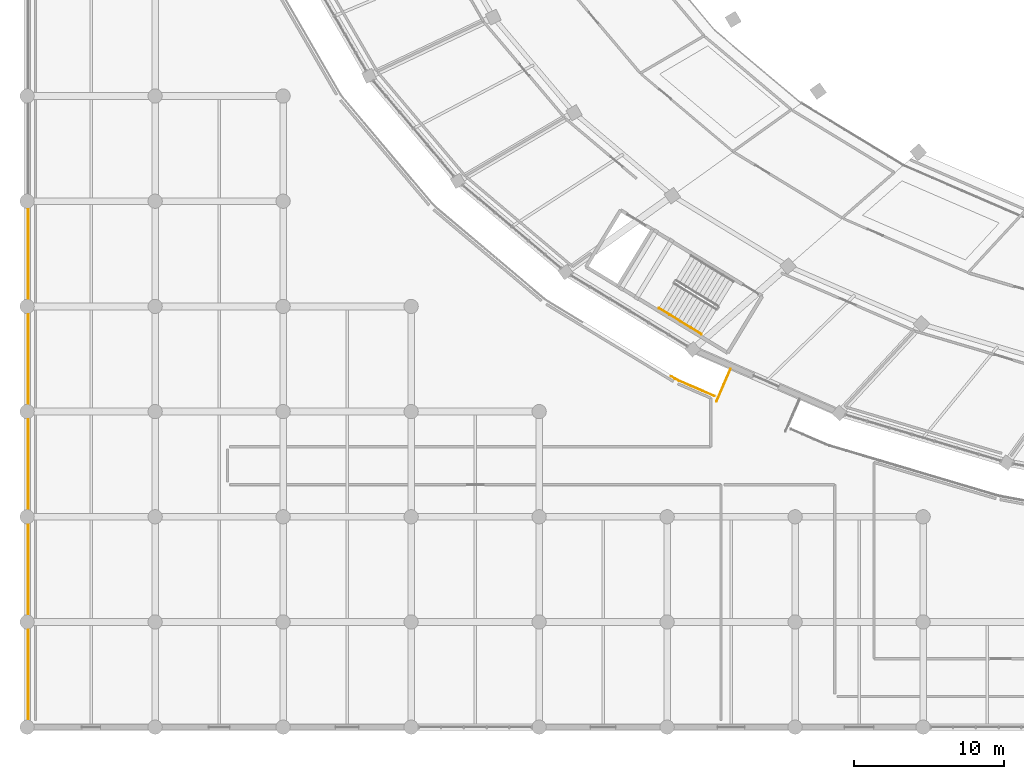
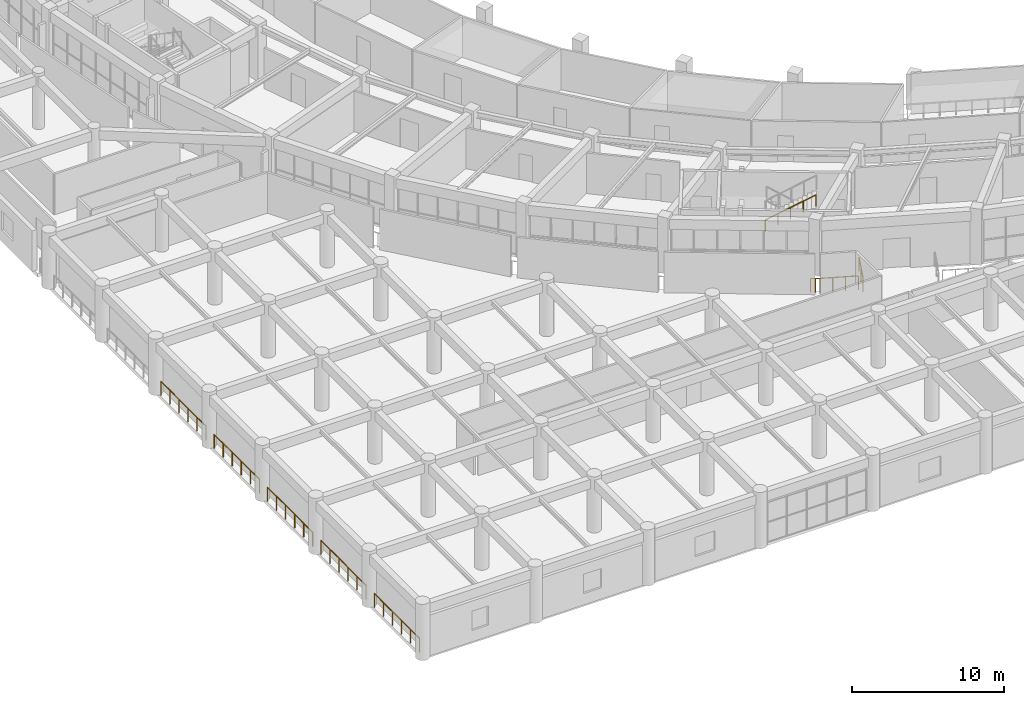
# One storey, part 113 of 141: 8 railings.
"""IFC4 building model written with IfcOpenShell, lengths in metres."""

from ifc_helpers import new_model, si_unit, direction, frame, origin, origin_2d, place, context, subcontext, project, spatial, circle, extrude, material, type_object, element, save


model = new_model("IFC4")

# Units and contexts
model_context = context("Model", 3, precision=1e-05, world=origin(), true_north=direction((0.0, 1.0)))
body_context = subcontext(model_context, "Body", "Model", "MODEL_VIEW")
ifc_project = project(units=[si_unit("LENGTHUNIT", "METRE"), si_unit("AREAUNIT", "SQUARE_METRE"), si_unit("VOLUMEUNIT", "CUBIC_METRE"), si_unit("PLANEANGLEUNIT", "RADIAN"), si_unit("MASSUNIT", "GRAM", prefix="KILO")], contexts=[model_context])

# Site, building, storey
site_placement = place(None, origin())
site = spatial("IfcSite", under=ifc_project, at=site_placement, CompositionType="ELEMENT")
building_placement = place(site_placement, origin())
building = spatial("IfcBuilding", under=site, at=building_placement, Name="Mphavela Belvedere Stadium", CompositionType="ELEMENT")
storey_placement = place(building_placement, frame((0.0, 0.0, 14.699951171875)))
storey = spatial("IfcBuildingStorey", under=building, at=storey_placement, Name="L03", CompositionType="ELEMENT", Elevation=14.699951171875)

# Railings
ifc_material_1 = material(Name="Bronze and laminated glass stadium balustrade", Category="glass")
railing_type_1 = type_object("IfcRailingType", Name="RAL-BALUSTRADE-1120", PredefinedType="BALUSTRADE", material=ifc_material_1)
railing_1_placement = place(storey_placement, frame((46.809814453125, 23.834716796875, 0.0)))
element("IfcRailing", 1, at=railing_1_placement, inside=storey, type_object=railing_type_1, Name="Colonnade link bridge balustrade L03-32A", PredefinedType="BALUSTRADE", context=body_context, shape_type="SweptSolid", body=[
    extrude(circle(Radius=0.02392578125, at=origin_2d()), frame((0.0, 0.0, 1.09619140625), z_axis=(-0.397802772945, -0.91747095531, 0.0), x_axis=(0.91747095531, -0.397802772945, 0.0)), (0.0, 0.0, 1.0), 2.349853515625),
    extrude(circle(Radius=0.02099609375, at=origin_2d()), origin(), (0.0, 0.0, 1.0), 1.072021484375),
    extrude(circle(Radius=0.02099609375, at=origin_2d()), frame((-0.46728515625, -1.078125, 0.0)), (0.0, 0.0, 1.0), 1.072021484375),
    extrude(circle(Radius=0.02099609375, at=origin_2d()), frame((-0.934814453125, -2.156005859375, 0.0)), (0.0, 0.0, 1.0), 1.072021484375),
])
railing_2_placement = place(storey_placement, frame((42.868896484375, 23.34326171875, 0.0)))
element("IfcRailing", 2, at=railing_2_placement, inside=storey, type_object=railing_type_1, Name="Peristyle wing gallery edge balustrade L03-02", PredefinedType="BALUSTRADE", context=body_context, shape_type="SweptSolid", body=[
    extrude(circle(Radius=0.02392578125, at=origin_2d()), frame((0.0, 0.0, 1.09619140625), z_axis=(0.85487840282, -0.518828407464, 0.0), x_axis=(0.518828407464, 0.85487840282, 0.0)), (0.0, 0.0, 1.0), 0.2978515625),
    extrude(circle(Radius=0.02392578125, at=origin_2d()), frame((0.254638671875, -0.154541015625, 1.09619140625), z_axis=(0.887994409277, -0.459854247661, 0.0), x_axis=(0.459854247661, 0.887994409277, 0.0)), (0.0, 0.0, 1.0), 0.307861328125),
    extrude(circle(Radius=0.02392578125, at=origin_2d()), frame((0.528076171875, -0.296142578125, 1.09619140625), z_axis=(0.917490104343, -0.397758605731, 0.0), x_axis=(0.397758605731, 0.917490104343, 0.0)), (0.0, 0.0, 1.0), 2.5380859375),
    extrude(circle(Radius=0.02099609375, at=origin_2d()), origin(), (0.0, 0.0, 1.0), 1.072021484375),
    extrude(circle(Radius=0.02099609375, at=origin_2d()), frame((0.254638671875, -0.154541015625, 0.0)), (0.0, 0.0, 1.0), 1.072021484375),
    extrude(circle(Radius=0.02099609375, at=origin_2d()), frame((0.528076171875, -0.296142578125, 0.0)), (0.0, 0.0, 1.0), 1.072021484375),
    extrude(circle(Radius=0.02099609375, at=origin_2d()), frame((1.30419921875, -0.632568359375, 0.0)), (0.0, 0.0, 1.0), 1.072021484375),
    extrude(circle(Radius=0.02099609375, at=origin_2d()), frame((2.08056640625, -0.96923828125, 0.0)), (0.0, 0.0, 1.0), 1.072021484375),
    extrude(circle(Radius=0.02099609375, at=origin_2d()), frame((2.856689453125, -1.3056640625, 0.0)), (0.0, 0.0, 1.0), 1.072021484375),
])
for number, where, name in (
    (3, (0.080078125, 0.54345703125, 0.0), "Peristyle wing gallery edge balustrade L03-16"),
    (4, (0.080078125, 7.54345703125, 0.0), "Peristyle wing gallery edge balustrade L03-17"),
    (5, (0.080078125, 14.54345703125, 0.0), "Peristyle wing gallery edge balustrade L03-18"),
    (6, (0.080078125, 21.54345703125, 0.0), "Peristyle wing gallery edge balustrade L03-19"),
    (7, (0.080078125, 28.54345703125, 0.0), "Peristyle wing gallery edge balustrade L03-20"),
):
    element("IfcRailing", number, at=place(storey_placement, frame(where)), inside=storey, type_object=railing_type_1, Name=name, PredefinedType="BALUSTRADE", context=body_context, shape_type="SweptSolid", body=[
        extrude(circle(Radius=0.02392578125, at=origin_2d()), frame((0.0, 0.0, 1.09619140625), z_axis=(0.0, 1.0, 0.0), x_axis=(-1.0, 0.0, 0.0)), (0.0, 0.0, 1.0), 5.9130859375),
        extrude(circle(Radius=0.02099609375, at=origin_2d()), origin(), (0.0, 0.0, 1.0), 1.072021484375),
        extrude(circle(Radius=0.02099609375, at=origin_2d()), frame((0.0, 1.1826171875, 0.0)), (0.0, 0.0, 1.0), 1.072021484375),
        extrude(circle(Radius=0.02099609375, at=origin_2d()), frame((0.0, 2.365234375, 0.0)), (0.0, 0.0, 1.0), 1.072021484375),
        extrude(circle(Radius=0.02099609375, at=origin_2d()), frame((0.0, 3.5478515625, 0.0)), (0.0, 0.0, 1.0), 1.072021484375),
        extrude(circle(Radius=0.02099609375, at=origin_2d()), frame((0.0, 4.73046875, 0.0)), (0.0, 0.0, 1.0), 1.072021484375),
        extrude(circle(Radius=0.02099609375, at=origin_2d()), frame((0.0, 5.9130859375, 0.0)), (0.0, 0.0, 1.0), 1.072021484375),
    ])
ifc_material_2 = material(Name="Brushed stainless steel tubular handrail", Category="steel")
railing_type_2 = type_object("IfcRailingType", Name="RAL-HANDRAIL-900", PredefinedType="HANDRAIL", material=ifc_material_2)
railing_3_placement = place(storey_placement, frame((42.0458984375, 27.878662109375, 2.4375)))
element("IfcRailing", 8, at=railing_3_placement, inside=storey, type_object=railing_type_2, Name="L03 ST-C10 stair handrail 2", PredefinedType="HANDRAIL", context=body_context, shape_type="SweptSolid", body=[
    extrude(circle(Radius=0.02392578125, at=origin_2d()), frame((0.0, 0.0, 0.8759765625), z_axis=(0.725842161385, -0.441499348228, 0.527476522957), x_axis=(0.519674131948, 0.854364557191, 0.0)), (0.0, 0.0, 1.0), 3.91015625),
    extrude(circle(Radius=0.02099609375, at=origin_2d()), origin(), (0.0, 0.0, 1.0), 0.851806640625),
    extrude(circle(Radius=0.02099609375, at=origin_2d()), frame((0.70947265625, -0.431640625, 0.515625)), (0.0, 0.0, 1.0), 0.851806640625),
    extrude(circle(Radius=0.02099609375, at=origin_2d()), frame((1.4189453125, -0.86328125, 1.03125)), (0.0, 0.0, 1.0), 0.851806640625),
    extrude(circle(Radius=0.02099609375, at=origin_2d()), frame((2.128662109375, -1.294677734375, 1.546875)), (0.0, 0.0, 1.0), 0.851806640625),
    extrude(circle(Radius=0.02099609375, at=origin_2d()), frame((2.838134765625, -1.726318359375, 2.0625)), (0.0, 0.0, 1.0), 0.851806640625),
])

save(model, "model.ifc")
